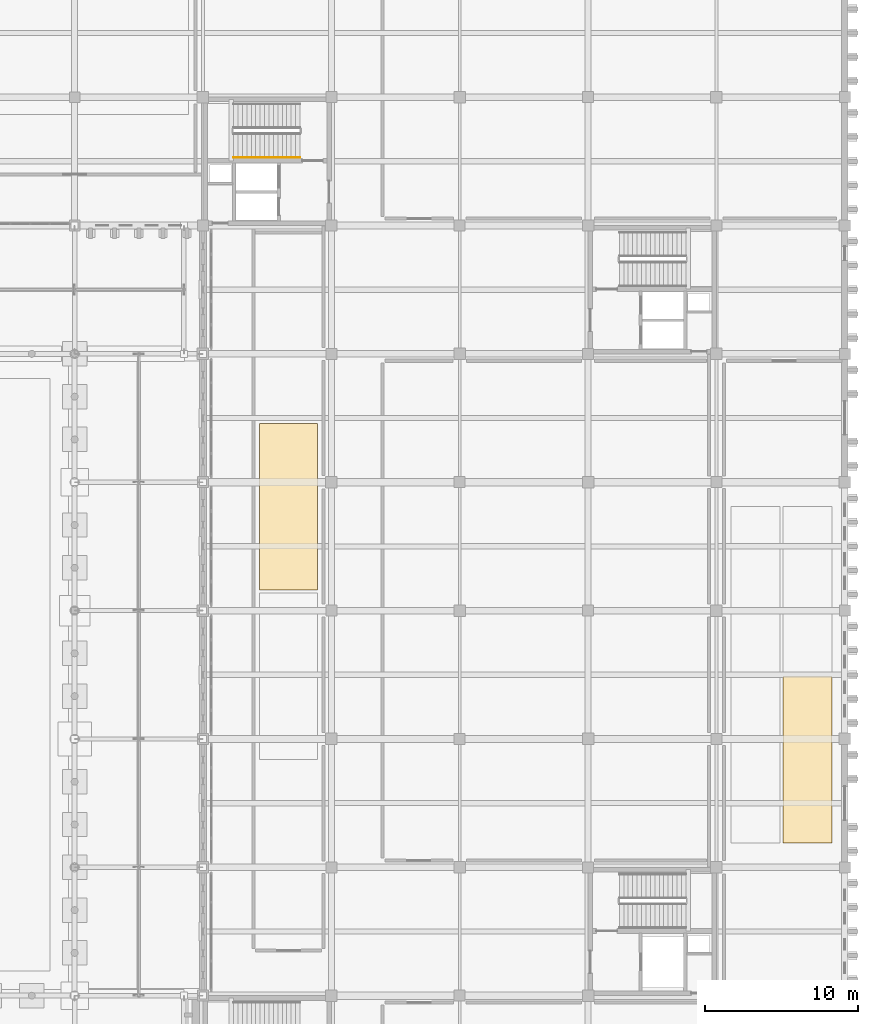
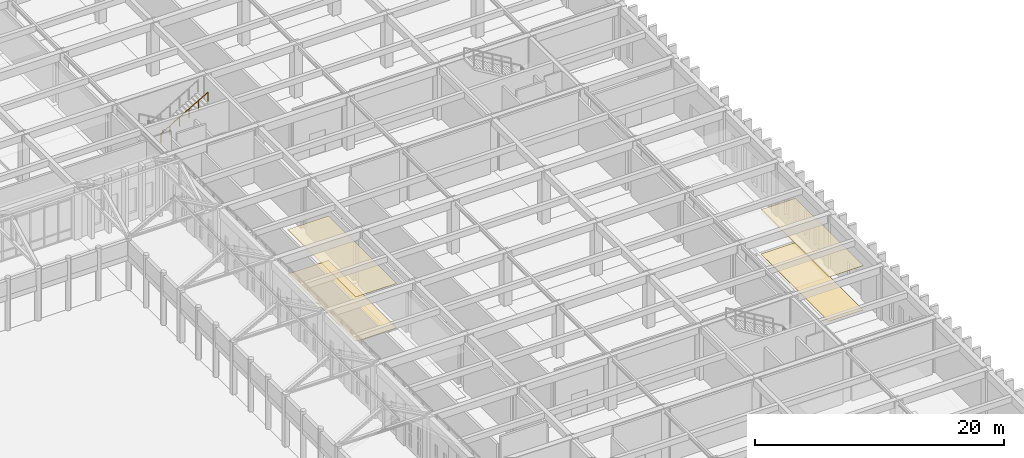
# One storey, part 141 of 143: 4 coverings, 1 railing.
"""IFC4 building model written with IfcOpenShell, lengths in metres."""

from ifc_helpers import new_model, si_unit, direction, frame, origin, origin_2d, place, context, subcontext, project, spatial, rectangle, circle, extrude, material, layer, layer_set, type_object, element, save


model = new_model("IFC4")

# Units and contexts
model_context = context("Model", 3, precision=1e-05, world=origin(), true_north=direction((0.0, 1.0)))
body_context = subcontext(model_context, "Body", "Model", "MODEL_VIEW")
ifc_project = project(units=[si_unit("LENGTHUNIT", "METRE"), si_unit("AREAUNIT", "SQUARE_METRE"), si_unit("VOLUMEUNIT", "CUBIC_METRE"), si_unit("PLANEANGLEUNIT", "RADIAN"), si_unit("MASSUNIT", "GRAM", prefix="KILO")], contexts=[model_context])

# Site, building, storey
site_placement = place(None, origin())
site = spatial("IfcSite", under=ifc_project, at=site_placement, CompositionType="ELEMENT")
building_placement = place(site_placement, origin())
building = spatial("IfcBuilding", under=site, at=building_placement, Name="Kveldsbrygga Polytechnic", CompositionType="ELEMENT")
storey_placement = place(building_placement, origin())
storey = spatial("IfcBuildingStorey", under=building, at=storey_placement, Name="L00", CompositionType="ELEMENT", Elevation=0.0)

# Coverings
ifc_material_1 = material(Name="Acoustic mineral baffle ceiling")
ifc_layer_1 = layer(ifc_material_1, 0.030029296875)
ifc_layer_set_1 = layer_set([ifc_layer_1], Name="Acoustic mineral baffle ceiling")
covering_type_1 = type_object("IfcCoveringType", Name="COV-CEIL-AC30", PredefinedType="CEILING", material=ifc_layer_set_1)
covering_1_placement = place(storey_placement, frame((165.550048828125, 49.050048828125, 4.330078125), z_axis=(0.0, 0.0, 1.0), x_axis=(1.0, 0.0, 0.0)))
element("IfcCovering", 1, at=covering_1_placement, inside=storey, type_object=covering_type_1, Name="Acoustic Ceiling SP-L00-LAB2-ES", PredefinedType="CEILING", context=body_context, shape_type="SweptSolid", body=[
    extrude(rectangle(XDim=3.199951171875, YDim=10.89990234375, at=origin_2d()), origin(), (0.0, 0.0, 1.0), 0.030029296875),
])
covering_2_placement = place(storey_placement, frame((131.60009765625, 65.60009765625, 4.330078125), z_axis=(0.0, 0.0, 1.0), x_axis=(1.0, 0.0, 0.0)))
element("IfcCovering", 2, at=covering_2_placement, inside=storey, type_object=covering_type_1, Name="Acoustic Ceiling SP-L00-LAB3-N", PredefinedType="CEILING", context=body_context, shape_type="SweptSolid", body=[
    extrude(rectangle(XDim=3.800048828125, YDim=10.89990234375, at=origin_2d()), origin(), (0.0, 0.0, 1.0), 0.030029296875),
])
ifc_material_2 = material(Name="Heavy-duty quartz-filled epoxy resin flooring")
ifc_layer_2 = layer(ifc_material_2, 0.014892578125)
ifc_layer_set_2 = layer_set([ifc_layer_2], Name="Heavy-duty quartz-filled epoxy resin flooring")
covering_type_2 = type_object("IfcCoveringType", Name="COV-FLR-EPX15", PredefinedType="FLOORING", material=ifc_layer_set_2)
covering_3_placement = place(storey_placement, frame((165.550048828125, 49.050048828125, 0.0), z_axis=(0.0, 0.0, 1.0), x_axis=(1.0, 0.0, 0.0)))
element("IfcCovering", 3, at=covering_3_placement, inside=storey, type_object=covering_type_2, Name="Room Flooring SP-L00-LAB2-ES", PredefinedType="FLOORING", context=body_context, shape_type="SweptSolid", body=[
    extrude(rectangle(XDim=3.199951171875, YDim=10.89990234375, at=origin_2d()), origin(), (0.0, 0.0, 1.0), 0.014892578125),
])
covering_4_placement = place(storey_placement, frame((131.60009765625, 65.60009765625, 0.0), z_axis=(0.0, 0.0, 1.0), x_axis=(1.0, 0.0, 0.0)))
element("IfcCovering", 4, at=covering_4_placement, inside=storey, type_object=covering_type_2, Name="Room Flooring SP-L00-LAB3-N", PredefinedType="FLOORING", context=body_context, shape_type="SweptSolid", body=[
    extrude(rectangle(XDim=3.800048828125, YDim=10.89990234375, at=origin_2d()), origin(), (0.0, 0.0, 1.0), 0.014892578125),
])

# Railing
ifc_material_3 = material(Name="Steel S355", Category="steel")
railing_type = type_object("IfcRailingType", Name="RL-STAIR-HND", PredefinedType="HANDRAIL", material=ifc_material_3)
railing_placement = place(storey_placement, frame((128.0, 88.449951171875, 2.889892578125)))
element("IfcRailing", 5, at=railing_placement, inside=storey, type_object=railing_type, Name="L00 ST-2 stair handrail 2", PredefinedType="HANDRAIL", context=body_context, shape_type="SweptSolid", body=[
    extrude(circle(Radius=0.02392578125, at=origin_2d()), frame((0.0, 0.0, 0.8759765625), z_axis=(0.862698698498, 0.0, 0.505718257145), x_axis=(0.0, 1.0, 0.0)), (0.0, 0.0, 1.0), 5.04248046875),
    extrude(circle(Radius=0.02099609375, at=origin_2d()), origin(), (0.0, 0.0, 1.0), 0.847900390625),
    extrude(circle(Radius=0.02099609375, at=origin_2d()), frame((0.8701171875, 0.0, 0.510009765625)), (0.0, 0.0, 1.0), 0.847900390625),
    extrude(circle(Radius=0.02099609375, at=origin_2d()), frame((1.739990234375, 0.0, 1.02001953125)), (0.0, 0.0, 1.0), 0.847900390625),
    extrude(circle(Radius=0.02099609375, at=origin_2d()), frame((2.610107421875, 0.0, 1.530029296875)), (0.0, 0.0, 1.0), 0.847900390625),
    extrude(circle(Radius=0.02099609375, at=origin_2d()), frame((3.47998046875, 0.0, 2.0400390625)), (0.0, 0.0, 1.0), 0.847900390625),
    extrude(circle(Radius=0.02099609375, at=origin_2d()), frame((4.35009765625, 0.0, 2.550048828125)), (0.0, 0.0, 1.0), 0.847900390625),
])

save(model, "model.ifc")
